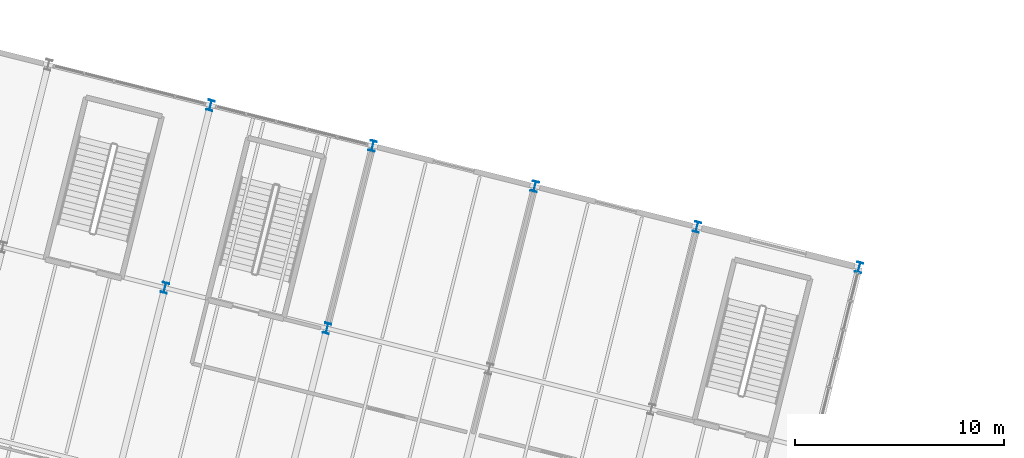
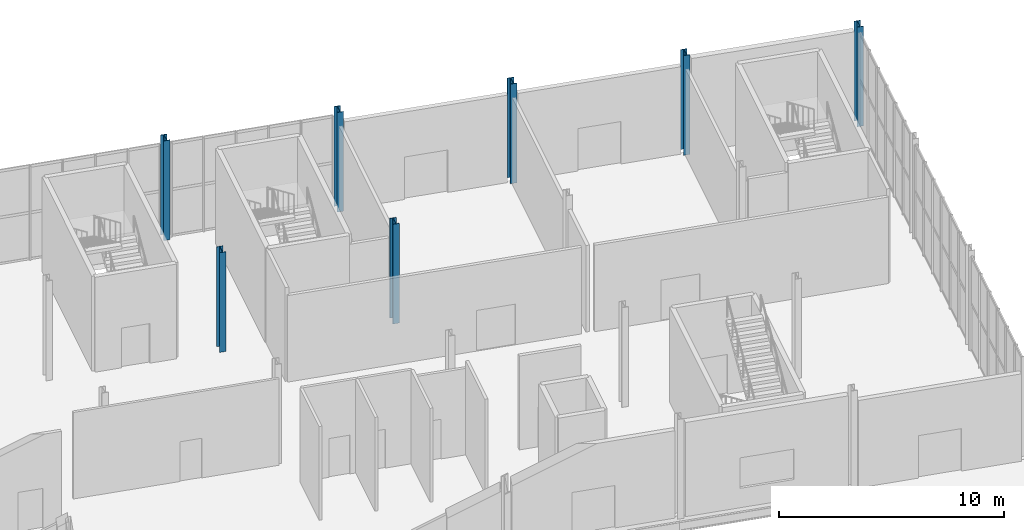
# One storey, part 28 of 158: 7 columns.
"""IFC4 building model written with IfcOpenShell, lengths in metres."""

from ifc_helpers import new_model, si_unit, derived_unit, direction, frame, origin, origin_2d, place, context, subcontext, project, spatial, i_section, extrude, material, material_profile, profile_set, type_object, element, save


model = new_model("IFC4")

# Units and contexts
model_context = context("Model", 3, precision=1e-05, world=origin(), true_north=direction((0.0, 1.0)))
body_context = subcontext(model_context, "Body", "Model", "MODEL_VIEW")
ifc_project = project(units=[si_unit("LENGTHUNIT", "METRE"), si_unit("AREAUNIT", "SQUARE_METRE"), si_unit("VOLUMEUNIT", "CUBIC_METRE"), si_unit("PLANEANGLEUNIT", "RADIAN"), si_unit("MASSUNIT", "GRAM", prefix="KILO"), si_unit("THERMODYNAMICTEMPERATUREUNIT", "KELVIN"), si_unit("TIMEUNIT", "SECOND"), derived_unit("THERMALTRANSMITTANCEUNIT", [(si_unit("MASSUNIT", "GRAM", prefix="KILO"), 1), (si_unit("THERMODYNAMICTEMPERATUREUNIT", "KELVIN"), -1), (si_unit("TIMEUNIT", "SECOND"), -3)])], contexts=[model_context])

# Site, building, storey
site_placement = place(None, origin())
site = spatial("IfcSite", under=ifc_project, at=site_placement, CompositionType="ELEMENT")
building_placement = place(site_placement, origin())
building = spatial("IfcBuilding", under=site, at=building_placement, Name="Cambertide Market Hall", CompositionType="ELEMENT")
storey_placement = place(building_placement, origin())
storey = spatial("IfcBuildingStorey", under=building, at=storey_placement, Name="L01", CompositionType="ELEMENT", Elevation=0.0)

# Columns
ifc_material_1 = material(Name="Steel S355", Category="steel")
ifc_material_profile_1 = material_profile(ifc_material_1, i_section(OverallWidth=0.300048828125, OverallDepth=0.5, WebThickness=0.014404296875, FlangeThickness=0.028076171875, FilletRadius=0.027099609375, at=origin_2d()), Name="HEB 500")
ifc_profile_set_1 = profile_set([ifc_material_profile_1], Name="Steel S355")
column_type_1 = type_object("IfcColumnType", Name="Exterior Steel Column HEB 500", PredefinedType="COLUMN", material=ifc_profile_set_1)
for number, where, z_axis, x_axis, name in (
    (1, (145.593017578125, 118.4326171875, 0.0), (0.0, 0.0, 1.0), (0.970142500145, -0.242535625038, 0.0), "Level 1 Column COL-V4-5-4-L01"),
    (2, (153.354248046875, 116.492431640625, 0.0), (0.0, 0.0, 1.0), (0.970142500145, -0.242535625038, 0.0), "Level 1 Column COL-V4-6-4-L01"),
    (3, (161.115234375, 114.55224609375, 0.0), (0.0, 0.0, 1.0), (0.970142500145, -0.242535625038, 0.0), "Level 1 Column COL-V4-7-4-L01"),
    (4, (168.87646484375, 112.61181640625, 0.0), (0.0, 0.0, 1.0), (0.970142500145, -0.242535625038, 0.0), "Level 1 Column COL-V4-8-4-L01"),
    (5, (176.6376953125, 110.671630859375, 0.0), (0.0, 0.0, 1.0), (0.970142500145, -0.242535625038, 0.0), "Level 1 Column COL-V4-9-4-L01"),
):
    element("IfcColumn", number, at=place(storey_placement, frame(where, z_axis=z_axis, x_axis=x_axis)), inside=storey, type_object=column_type_1, Name=name, PredefinedType="COLUMN", context=body_context, shape_type="SweptSolid", body=[
        extrude(i_section(OverallWidth=0.300048828125, OverallDepth=0.5, WebThickness=0.014404296875, FlangeThickness=0.028076171875, FilletRadius=0.027099609375, at=origin_2d()), origin(), (0.0, 0.0, 1.0), 5.39990234375),
    ])
ifc_material_2 = material(Name="Steel S355", Category="steel")
ifc_material_profile_2 = material_profile(ifc_material_2, i_section(OverallWidth=0.300048828125, OverallDepth=0.5, WebThickness=0.014404296875, FlangeThickness=0.028076171875, FilletRadius=0.027099609375, at=origin_2d()), Name="HEB 500")
ifc_profile_set_2 = profile_set([ifc_material_profile_2], Name="Steel S355")
column_type_2 = type_object("IfcColumnType", Name="Steel Column HEB 500", PredefinedType="COLUMN", material=ifc_profile_set_2)
for number, where, z_axis, x_axis, name in (
    (6, (143.41015625, 109.701416015625, 0.0), (0.0, 0.0, 1.0), (0.970142500145, -0.242535625038, 0.0), "Level 1 Column COL-V4-5-3-L01"),
    (7, (151.17138671875, 107.76123046875, 0.0), (0.0, 0.0, 1.0), (0.970142500145, -0.242535625038, 0.0), "Level 1 Column COL-V4-6-3-L01"),
):
    element("IfcColumn", number, at=place(storey_placement, frame(where, z_axis=z_axis, x_axis=x_axis)), inside=storey, type_object=column_type_2, Name=name, PredefinedType="COLUMN", context=body_context, shape_type="SweptSolid", body=[
        extrude(i_section(OverallWidth=0.300048828125, OverallDepth=0.5, WebThickness=0.014404296875, FlangeThickness=0.028076171875, FilletRadius=0.027099609375, at=origin_2d()), origin(), (0.0, 0.0, 1.0), 5.39990234375),
    ])

save(model, "model.ifc")
